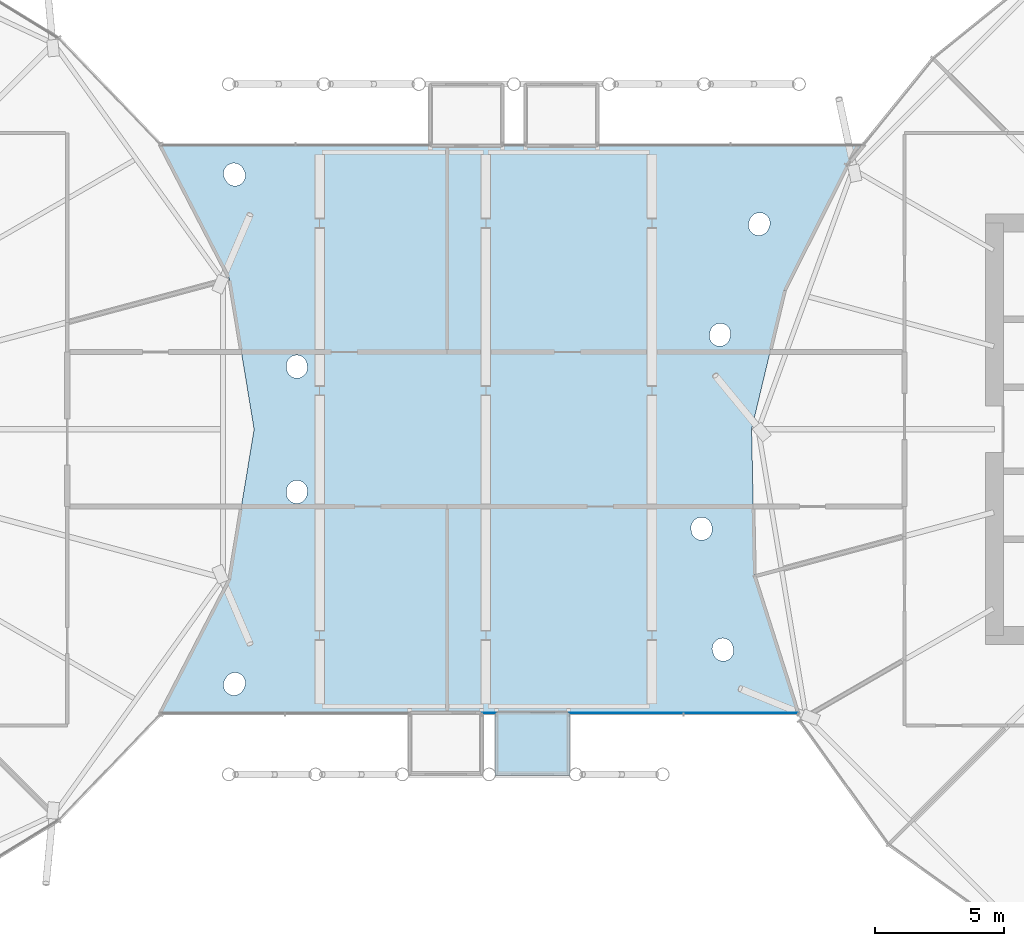
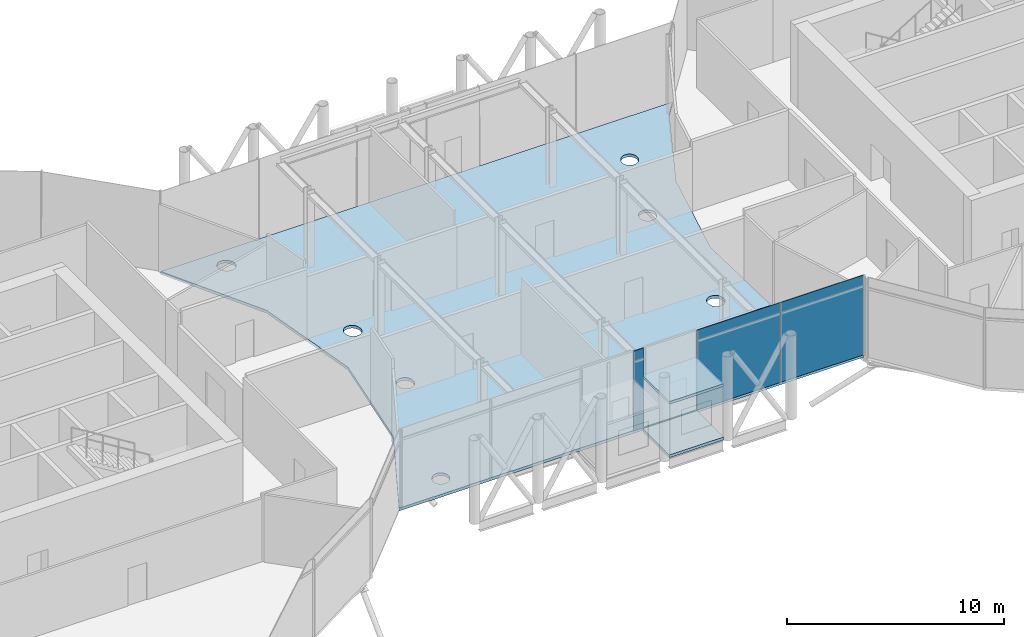
# One storey, part 19 of 36: 3 plates, 3 slabs, 1 element without a shape of its own.
"""IFC4 building model written with IfcOpenShell, lengths in metres."""

from ifc_helpers import new_model, si_unit, direction, frame, origin, origin_2d, place, context, subcontext, project, spatial, polyline, rectangle, outline, extrude, material, layer, layer_set, type_object, element, aggregate, save


model = new_model("IFC4")

# Units and contexts
model_context = context("Model", 3, precision=1e-05, world=origin(), true_north=direction((0.0, 1.0)))
body_context = subcontext(model_context, "Body", "Model", "MODEL_VIEW")
ifc_project = project(units=[si_unit("LENGTHUNIT", "METRE"), si_unit("AREAUNIT", "SQUARE_METRE"), si_unit("VOLUMEUNIT", "CUBIC_METRE"), si_unit("PLANEANGLEUNIT", "RADIAN"), si_unit("MASSUNIT", "GRAM", prefix="KILO")], contexts=[model_context])

# Site, building, storey
site_placement = place(None, origin())
site = spatial("IfcSite", under=ifc_project, at=site_placement, CompositionType="ELEMENT")
building_placement = place(site_placement, origin())
building = spatial("IfcBuilding", under=site, at=building_placement, Name="Rimbun Link Towers", CompositionType="ELEMENT")
storey_placement = place(building_placement, frame((0.0, 0.0, 154.39990234375)))
storey = spatial("IfcBuildingStorey", under=building, at=storey_placement, Name="L37", CompositionType="ELEMENT", Elevation=154.39990234375)

# Slabs
ifc_material_1 = material(Name="Insulated metal floor panel on steel frame", Category="steel")
ifc_layer_1 = layer(ifc_material_1, 0.159912109375)
ifc_layer_set_1 = layer_set([ifc_layer_1], Name="CAPSULE floor panel 160")
slab_type_1 = type_object("IfcSlabType", Name="CAPSULE floor panel 160", PredefinedType="FLOOR", material=ifc_layer_set_1)
slab_1_placement = place(storey_placement, frame((0.0, 0.0, -0.219970703125)))
element("IfcSlab", 1, at=slab_1_placement, inside=storey, type_object=slab_type_1, Name="CAPSULE F37.12 floor panel", PredefinedType="FLOOR", context=body_context, shape_type="SweptSolid", body=[
    extrude(outline(polyline([(3.26318359375, -11.0), (0.36328125, -11.0), (0.36328125, -13.449951171875), (3.26318359375, -13.449951171875), (3.26318359375, -11.0)])), origin(), (0.0, 0.0, 1.0), 0.16015625),
])
ifc_material_2 = material(Name="Insulated metal roof panel with terracotta fascia", Category="masonry")
ifc_layer_2 = layer(ifc_material_2, 0.14990234375)
ifc_layer_set_2 = layer_set([ifc_layer_2], Name="CAPSULE roof panel 150")
slab_type_2 = type_object("IfcSlabType", Name="CAPSULE roof panel 150", PredefinedType="ROOF", material=ifc_layer_set_2)
slab_2_placement = place(storey_placement, frame((0.0, 0.0, 2.7900390625)))
element("IfcSlab", 2, at=slab_2_placement, inside=storey, type_object=slab_type_2, Name="CAPSULE F37.12 roof panel", PredefinedType="ROOF", context=body_context, shape_type="SweptSolid", body=[
    extrude(outline(polyline([(0.36328125, -13.449951171875), (3.26318359375, -13.449951171875), (3.26318359375, -10.949951171875), (0.36328125, -10.949951171875), (0.36328125, -13.449951171875)])), origin(), (0.0, 0.0, 1.0), 0.150146484375),
])

# Curtain wall, plates
ifc_material_3 = material(Name="Aluminium 6063-T6 and low-iron glass", Category="aluminium")
curtain_wall_type = type_object("IfcCurtainWallType", Name="CW5 full height lobby wall", PredefinedType="NOTDEFINED", material=ifc_material_3)
curtain_wall_placement = place(storey_placement, origin())
curtain_wall = element("IfcCurtainWall", 3, at=curtain_wall_placement, inside=storey, type_object=curtain_wall_type, Name="CW5 L37 LB", PredefinedType="NOTDEFINED")
ifc_material_4 = material(Name="Low-iron glass, laminated low-e unit", Category="glass")
ifc_layer_3 = layer(ifc_material_4, 0.031982421875)
ifc_layer_set_3 = layer_set([ifc_layer_3], Name="CW5 panel Low-iron glass 32")
plate_type = type_object("IfcPlateType", Name="CW5 panel Low-iron glass 32", PredefinedType="CURTAIN_PANEL", material=ifc_layer_set_3)
plate_1_placement = place(storey_placement, frame((9.894287109375, -11.01611328125, 0.0), z_axis=(0.0, 0.0, 1.0), x_axis=(-1.0, 0.0, 0.0)))
plate_1 = element("IfcPlate", 4, at=plate_1_placement, type_object=plate_type, Name="CW5 panel", PredefinedType="CURTAIN_PANEL", context=body_context, shape_type="SweptSolid", body=[
    extrude(rectangle(XDim=4.4140625, YDim=0.031982421875, at=origin_2d()), origin(), (0.0, 0.0, 1.0), 4.5),
])
plate_2_placement = place(storey_placement, frame((5.4404296875, -11.01611328125, 0.0), z_axis=(0.0, 0.0, 1.0), x_axis=(-1.0, 0.0, 0.0)))
plate_2 = element("IfcPlate", 5, at=plate_2_placement, type_object=plate_type, Name="CW5 panel", PredefinedType="CURTAIN_PANEL", context=body_context, shape_type="SweptSolid", body=[
    extrude(rectangle(XDim=4.4140625, YDim=0.031982421875, at=origin_2d()), origin(), (0.0, 0.0, 1.0), 4.5),
])
plate_3_placement = place(storey_placement, frame((0.12890625, -11.01611328125, 0.0), z_axis=(0.0, 0.0, 1.0), x_axis=(-1.0, 0.0, 0.0)))
plate_3 = element("IfcPlate", 6, at=plate_3_placement, type_object=plate_type, Name="CW5 panel", PredefinedType="CURTAIN_PANEL", context=body_context, shape_type="SweptSolid", body=[
    extrude(rectangle(XDim=0.529052734375, YDim=0.031982421875, at=origin_2d()), origin(), (0.0, 0.0, 1.0), 4.5),
])
aggregate(curtain_wall, [plate_1, plate_2, plate_3])

# Slab
ifc_material_5 = material(Name="Concrete C40/50", Category="concrete")
ifc_layer_4 = layer(ifc_material_5, 0.159912109375)
ifc_layer_set_4 = layer_set([ifc_layer_4], Name="Link composite floor slab")
slab_type_3 = type_object("IfcSlabType", Name="Link composite floor slab", PredefinedType="FLOOR", material=ifc_layer_set_4)
slab_3_placement = place(storey_placement, frame((0.0, 0.0, -0.159912109375)))
element("IfcSlab", 7, at=slab_3_placement, inside=storey, type_object=slab_type_3, Name="Link floor slab L37", PredefinedType="FLOOR", context=body_context, shape_type="SweptSolid", body=[
    extrude(outline(polyline([(-9.956787109375, -5.839599609375), (-8.99658203125, 0.0), (-9.956787109375, 5.839599609375), (-12.626953125, 11.0), (14.66064453125, 11.0), (14.035400390625, 10.2275390625), (11.609375, 5.396728515625), (10.31884765625, 0.0), (10.439208984375, -5.710205078125), (12.121337890625, -11.0), (-12.626953125, -11.0), (-9.956787109375, -5.839599609375)]), holes=[polyline([(-9.563720703125, -10.269287109375), (-9.531005859375, -10.24658203125), (-9.5009765625, -10.220703125), (-9.473388671875, -10.192138671875), (-9.448974609375, -10.160888671875), (-9.427490234375, -10.127197265625), (-9.385498046875, -10.053466796875), (-9.36767578125, -10.01806640625), (-9.353271484375, -9.98095703125), (-9.342529296875, -9.942626953125), (-9.335693359375, -9.903564453125), (-9.332763671875, -9.864013671875), (-9.33349609375, -9.82421875), (-9.33837890625, -9.784912109375), (-9.346923828125, -9.74609375), (-9.359375, -9.708251953125), (-9.37548828125, -9.672119140625), (-9.39501953125, -9.637451171875), (-9.417724609375, -9.604736328125), (-9.443603515625, -9.57470703125), (-9.472412109375, -9.547119140625), (-9.50341796875, -9.522705078125), (-9.537109375, -9.50146484375), (-9.572509765625, -9.4833984375), (-9.609619140625, -9.468994140625), (-9.647705078125, -9.45849609375), (-9.68701171875, -9.451416015625), (-9.7265625, -9.448486328125), (-9.76611328125, -9.449462890625), (-9.8056640625, -9.4541015625), (-9.844482421875, -9.462890625), (-9.882080078125, -9.47509765625), (-9.918701171875, -9.4912109375), (-9.953125, -9.5107421875), (-9.985595703125, -9.533447265625), (-10.015869140625, -9.559326171875), (-10.043212890625, -9.588134765625), (-10.06787109375, -9.619384765625), (-10.089111328125, -9.65283203125), (-10.131103515625, -9.726806640625), (-10.149169921875, -9.76220703125), (-10.16357421875, -9.799072265625), (-10.174072265625, -9.83740234375), (-10.180908203125, -9.87646484375), (-10.18408203125, -9.916015625), (-10.18310546875, -9.955810546875), (-10.178466796875, -9.995361328125), (-10.169677734375, -10.0341796875), (-10.157470703125, -10.07177734375), (-10.141357421875, -10.108154296875), (-10.121826171875, -10.142822265625), (-10.09912109375, -10.17529296875), (-10.0732421875, -10.205322265625), (-10.04443359375, -10.23291015625), (-10.01318359375, -10.25732421875), (-9.979736328125, -10.27880859375), (-9.944091796875, -10.296630859375), (-9.9072265625, -10.31103515625), (-9.868896484375, -10.32177734375), (-9.829833984375, -10.32861328125), (-9.790283203125, -10.33154296875), (-9.75048828125, -10.330810546875), (-9.711181640625, -10.325927734375), (-9.67236328125, -10.3173828125), (-9.634521484375, -10.304931640625), (-9.59814453125, -10.2890625), (-9.563720703125, -10.269287109375)]), polyline([(8.750244140625, -4.064208984375), (8.764404296875, -4.027099609375), (8.774658203125, -3.98876953125), (8.78125, -3.94970703125), (8.783935546875, -3.909912109375), (8.78271484375, -3.8701171875), (8.7763671875, -3.7880859375), (8.771240234375, -3.748779296875), (8.76220703125, -3.7099609375), (8.74951171875, -3.67236328125), (8.7333984375, -3.635986328125), (8.71337890625, -3.6015625), (8.6904296875, -3.5693359375), (8.664306640625, -3.539306640625), (8.635498046875, -3.51220703125), (8.60400390625, -3.48779296875), (8.5703125, -3.466796875), (8.53466796875, -3.44921875), (8.49755859375, -3.43505859375), (8.458984375, -3.4248046875), (8.419921875, -3.418212890625), (8.38037109375, -3.415283203125), (8.340576171875, -3.41650390625), (8.30126953125, -3.421630859375), (8.262451171875, -3.4306640625), (8.224853515625, -3.443359375), (8.188720703125, -3.459716796875), (8.154296875, -3.4794921875), (8.121826171875, -3.50244140625), (8.091796875, -3.528564453125), (8.064697265625, -3.5576171875), (8.040283203125, -3.589111328125), (8.019287109375, -3.622802734375), (8.001708984375, -3.658203125), (7.987548828125, -3.6953125), (7.977294921875, -3.733642578125), (7.970703125, -3.77294921875), (7.968017578125, -3.8125), (7.96923828125, -3.852294921875), (7.9755859375, -3.934326171875), (7.980712890625, -3.973876953125), (7.98974609375, -4.012451171875), (8.00244140625, -4.05029296875), (8.018798828125, -4.08642578125), (8.03857421875, -4.120849609375), (8.0615234375, -4.1533203125), (8.087646484375, -4.18310546875), (8.11669921875, -4.21044921875), (8.148193359375, -4.234619140625), (8.181884765625, -4.255615234375), (8.21728515625, -4.273193359375), (8.25439453125, -4.287353515625), (8.29296875, -4.2978515625), (8.33203125, -4.304443359375), (8.37158203125, -4.306884765625), (8.411376953125, -4.305908203125), (8.45068359375, -4.30078125), (8.489501953125, -4.291748046875), (8.527099609375, -4.279052734375), (8.5634765625, -4.2626953125), (8.597900390625, -4.2431640625), (8.630126953125, -4.219970703125), (8.66015625, -4.19384765625), (8.687255859375, -4.1650390625), (8.711669921875, -4.133544921875), (8.732666015625, -4.099853515625), (8.750244140625, -4.064208984375)]), polyline([(-7.68603515625, -2.192626953125), (-7.703369140625, -2.228515625), (-7.71728515625, -2.265625), (-7.7275390625, -2.303955078125), (-7.73388671875, -2.34326171875), (-7.743408203125, -2.427978515625), (-7.745849609375, -2.4677734375), (-7.744384765625, -2.507568359375), (-7.739013671875, -2.546875), (-7.72998046875, -2.58544921875), (-7.717041015625, -2.623046875), (-7.70068359375, -2.6591796875), (-7.6806640625, -2.693603515625), (-7.657470703125, -2.725830078125), (-7.631103515625, -2.755615234375), (-7.60205078125, -2.78271484375), (-7.5703125, -2.806640625), (-7.53662109375, -2.82763671875), (-7.5009765625, -2.84521484375), (-7.463623046875, -2.85888671875), (-7.42529296875, -2.869140625), (-7.385986328125, -2.87548828125), (-7.346435546875, -2.8779296875), (-7.306884765625, -2.87646484375), (-7.267333984375, -2.87109375), (-7.228759765625, -2.862060546875), (-7.191162109375, -2.84912109375), (-7.155029296875, -2.832763671875), (-7.12060546875, -2.812744140625), (-7.08837890625, -2.78955078125), (-7.05859375, -2.76318359375), (-7.031494140625, -2.734130859375), (-7.007568359375, -2.70263671875), (-6.986572265625, -2.668701171875), (-6.96923828125, -2.633056640625), (-6.955322265625, -2.595947265625), (-6.945068359375, -2.5576171875), (-6.938720703125, -2.518310546875), (-6.92919921875, -2.433349609375), (-6.9267578125, -2.393798828125), (-6.92822265625, -2.35400390625), (-6.93359375, -2.314697265625), (-6.942626953125, -2.27587890625), (-6.95556640625, -2.23828125), (-6.971923828125, -2.2021484375), (-6.991943359375, -2.16796875), (-7.01513671875, -2.1357421875), (-7.04150390625, -2.10595703125), (-7.070556640625, -2.078857421875), (-7.102294921875, -2.0546875), (-7.135986328125, -2.033935546875), (-7.171630859375, -2.016357421875), (-7.208984375, -2.00244140625), (-7.247314453125, -1.9921875), (-7.28662109375, -1.986083984375), (-7.326171875, -1.9833984375), (-7.36572265625, -1.98486328125), (-7.4052734375, -1.990234375), (-7.44384765625, -1.99951171875), (-7.4814453125, -2.01220703125), (-7.517578125, -2.02880859375), (-7.552001953125, -2.048583984375), (-7.583984375, -2.072021484375), (-7.614013671875, -2.09814453125), (-7.64111328125, -2.127197265625), (-7.6650390625, -2.158935546875), (-7.68603515625, -2.192626953125)]), polyline([(-6.942626953125, 2.27587890625), (-6.93359375, 2.314697265625), (-6.92822265625, 2.35400390625), (-6.9267578125, 2.393798828125), (-6.92919921875, 2.433349609375), (-6.938720703125, 2.518310546875), (-6.945068359375, 2.5576171875), (-6.955322265625, 2.595947265625), (-6.96923828125, 2.633056640625), (-6.986572265625, 2.668701171875), (-7.007568359375, 2.70263671875), (-7.031494140625, 2.734130859375), (-7.05859375, 2.76318359375), (-7.08837890625, 2.78955078125), (-7.12060546875, 2.812744140625), (-7.155029296875, 2.832763671875), (-7.191162109375, 2.84912109375), (-7.228759765625, 2.862060546875), (-7.267333984375, 2.87109375), (-7.306884765625, 2.87646484375), (-7.346435546875, 2.8779296875), (-7.385986328125, 2.87548828125), (-7.42529296875, 2.869140625), (-7.463623046875, 2.85888671875), (-7.5009765625, 2.84521484375), (-7.53662109375, 2.82763671875), (-7.5703125, 2.806640625), (-7.60205078125, 2.78271484375), (-7.631103515625, 2.755615234375), (-7.657470703125, 2.725830078125), (-7.6806640625, 2.693603515625), (-7.70068359375, 2.6591796875), (-7.717041015625, 2.623046875), (-7.72998046875, 2.58544921875), (-7.739013671875, 2.546875), (-7.744384765625, 2.507568359375), (-7.745849609375, 2.4677734375), (-7.743408203125, 2.427978515625), (-7.73388671875, 2.34326171875), (-7.7275390625, 2.303955078125), (-7.71728515625, 2.265625), (-7.703369140625, 2.228515625), (-7.68603515625, 2.192626953125), (-7.6650390625, 2.158935546875), (-7.64111328125, 2.127197265625), (-7.614013671875, 2.09814453125), (-7.583984375, 2.072021484375), (-7.552001953125, 2.048583984375), (-7.517578125, 2.02880859375), (-7.4814453125, 2.01220703125), (-7.44384765625, 1.99951171875), (-7.4052734375, 1.990234375), (-7.36572265625, 1.98486328125), (-7.326171875, 1.9833984375), (-7.28662109375, 1.986083984375), (-7.247314453125, 1.9921875), (-7.208984375, 2.00244140625), (-7.171630859375, 2.016357421875), (-7.135986328125, 2.033935546875), (-7.102294921875, 2.0546875), (-7.070556640625, 2.078857421875), (-7.04150390625, 2.10595703125), (-7.01513671875, 2.1357421875), (-6.991943359375, 2.16796875), (-6.971923828125, 2.2021484375), (-6.95556640625, 2.23828125), (-6.942626953125, 2.27587890625)]), polyline([(-10.180908203125, 9.87646484375), (-10.174072265625, 9.83740234375), (-10.16357421875, 9.799072265625), (-10.149169921875, 9.76220703125), (-10.131103515625, 9.726806640625), (-10.089111328125, 9.65283203125), (-10.06787109375, 9.619384765625), (-10.043212890625, 9.588134765625), (-10.015869140625, 9.559326171875), (-9.985595703125, 9.533447265625), (-9.953125, 9.5107421875), (-9.918701171875, 9.4912109375), (-9.882080078125, 9.47509765625), (-9.844482421875, 9.462890625), (-9.8056640625, 9.4541015625), (-9.76611328125, 9.449462890625), (-9.7265625, 9.448486328125), (-9.68701171875, 9.451416015625), (-9.647705078125, 9.45849609375), (-9.609619140625, 9.468994140625), (-9.572509765625, 9.4833984375), (-9.537109375, 9.50146484375), (-9.50341796875, 9.522705078125), (-9.472412109375, 9.547119140625), (-9.443603515625, 9.57470703125), (-9.417724609375, 9.604736328125), (-9.39501953125, 9.637451171875), (-9.37548828125, 9.672119140625), (-9.359375, 9.708251953125), (-9.346923828125, 9.74609375), (-9.33837890625, 9.784912109375), (-9.33349609375, 9.82421875), (-9.332763671875, 9.864013671875), (-9.335693359375, 9.903564453125), (-9.342529296875, 9.942626953125), (-9.353271484375, 9.98095703125), (-9.36767578125, 10.01806640625), (-9.385498046875, 10.053466796875), (-9.427490234375, 10.127197265625), (-9.448974609375, 10.160888671875), (-9.473388671875, 10.192138671875), (-9.5009765625, 10.220703125), (-9.531005859375, 10.24658203125), (-9.563720703125, 10.269287109375), (-9.59814453125, 10.2890625), (-9.634521484375, 10.304931640625), (-9.67236328125, 10.3173828125), (-9.711181640625, 10.325927734375), (-9.75048828125, 10.330810546875), (-9.790283203125, 10.33154296875), (-9.829833984375, 10.32861328125), (-9.868896484375, 10.32177734375), (-9.9072265625, 10.31103515625), (-9.944091796875, 10.296630859375), (-9.979736328125, 10.27880859375), (-10.01318359375, 10.25732421875), (-10.04443359375, 10.23291015625), (-10.0732421875, 10.205322265625), (-10.09912109375, 10.17529296875), (-10.121826171875, 10.142822265625), (-10.141357421875, 10.108154296875), (-10.157470703125, 10.07177734375), (-10.169677734375, 10.0341796875), (-10.178466796875, 9.995361328125), (-10.18310546875, 9.955810546875), (-10.18408203125, 9.916015625), (-10.180908203125, 9.87646484375)]), polyline([(8.80029296875, -8.426513671875), (8.79345703125, -8.4658203125), (8.790283203125, -8.50537109375), (8.791259765625, -8.544921875), (8.7958984375, -8.58447265625), (8.8046875, -8.623291015625), (8.8271484375, -8.705078125), (8.839599609375, -8.742919921875), (8.85546875, -8.779296875), (8.875, -8.813720703125), (8.897705078125, -8.84619140625), (8.923583984375, -8.87646484375), (8.952392578125, -8.90380859375), (8.983642578125, -8.928466796875), (9.01708984375, -8.94970703125), (9.052490234375, -8.9677734375), (9.089599609375, -8.982177734375), (9.1279296875, -8.992919921875), (9.1669921875, -8.999755859375), (9.20654296875, -9.002685546875), (9.246337890625, -9.001708984375), (9.285888671875, -8.9970703125), (9.32470703125, -8.98828125), (9.3623046875, -8.97607421875), (9.398681640625, -8.9599609375), (9.433349609375, -8.9404296875), (9.4658203125, -8.917724609375), (9.495849609375, -8.891845703125), (9.5234375, -8.863037109375), (9.5478515625, -8.831787109375), (9.569091796875, -8.79833984375), (9.587158203125, -8.762939453125), (9.6015625, -8.725830078125), (9.6123046875, -8.6875), (9.619140625, -8.6484375), (9.6220703125, -8.60888671875), (9.62109375, -8.569091796875), (9.616455078125, -8.52978515625), (9.60791015625, -8.490966796875), (9.58544921875, -8.408935546875), (9.572998046875, -8.371337890625), (9.556884765625, -8.3349609375), (9.53759765625, -8.30029296875), (9.5146484375, -8.267822265625), (9.48876953125, -8.237548828125), (9.460205078125, -8.210205078125), (9.4287109375, -8.185791015625), (9.395263671875, -8.164306640625), (9.35986328125, -8.146484375), (9.32275390625, -8.132080078125), (9.28466796875, -8.121337890625), (9.245361328125, -8.114501953125), (9.205810546875, -8.111572265625), (9.166015625, -8.1123046875), (9.126708984375, -8.1171875), (9.087890625, -8.125732421875), (9.050048828125, -8.13818359375), (9.013916015625, -8.154052734375), (8.979248046875, -8.173583984375), (8.94677734375, -8.1962890625), (8.91650390625, -8.222412109375), (8.88916015625, -8.2509765625), (8.864501953125, -8.2822265625), (8.84326171875, -8.31591796875), (8.8251953125, -8.351318359375), (8.810791015625, -8.38818359375), (8.80029296875, -8.426513671875)]), polyline([(8.785400390625, 3.9580078125), (8.7626953125, 3.925537109375), (8.742919921875, 3.890869140625), (8.726806640625, 3.854736328125), (8.714111328125, 3.81689453125), (8.6923828125, 3.739013671875), (8.68359375, 3.7001953125), (8.6787109375, 3.66064453125), (8.677490234375, 3.62109375), (8.680419921875, 3.581298828125), (8.68701171875, 3.542236328125), (8.697509765625, 3.50390625), (8.7119140625, 3.466796875), (8.7294921875, 3.431396484375), (8.750732421875, 3.397705078125), (8.775146484375, 3.3662109375), (8.802490234375, 3.33740234375), (8.83251953125, 3.3115234375), (8.864990234375, 3.28857421875), (8.8994140625, 3.268798828125), (8.935791015625, 3.252685546875), (8.973388671875, 3.240234375), (9.01220703125, 3.2314453125), (9.051513671875, 3.226318359375), (9.09130859375, 3.225341796875), (9.130859375, 3.228271484375), (9.170166015625, 3.23486328125), (9.20849609375, 3.245361328125), (9.24560546875, 3.259521484375), (9.281005859375, 3.27734375), (9.314697265625, 3.298583984375), (9.345947265625, 3.322998046875), (9.374755859375, 3.35009765625), (9.40087890625, 3.38037109375), (9.423828125, 3.41259765625), (9.443603515625, 3.447265625), (9.459716796875, 3.4833984375), (9.47216796875, 3.521240234375), (9.493896484375, 3.599365234375), (9.502685546875, 3.637939453125), (9.5078125, 3.677490234375), (9.5087890625, 3.717041015625), (9.506103515625, 3.756591796875), (9.499267578125, 3.7958984375), (9.48876953125, 3.834228515625), (9.474609375, 3.871337890625), (9.456787109375, 3.90673828125), (9.435546875, 3.9404296875), (9.4111328125, 3.9716796875), (9.3837890625, 4.00048828125), (9.35400390625, 4.026611328125), (9.3212890625, 4.049560546875), (9.286865234375, 4.0693359375), (9.25048828125, 4.08544921875), (9.212890625, 4.097900390625), (9.17431640625, 4.106689453125), (9.134765625, 4.11181640625), (9.09521484375, 4.11279296875), (9.055419921875, 4.110107421875), (9.016357421875, 4.103271484375), (8.97802734375, 4.0927734375), (8.94091796875, 4.07861328125), (8.905517578125, 4.060791015625), (8.871826171875, 4.03955078125), (8.84033203125, 4.01513671875), (8.8115234375, 3.98779296875), (8.785400390625, 3.9580078125)]), polyline([(10.879638671875, 7.638916015625), (10.90673828125, 7.66796875), (10.930908203125, 7.69921875), (10.951904296875, 7.733154296875), (10.969482421875, 7.768798828125), (11.0009765625, 7.8408203125), (11.014892578125, 7.8779296875), (11.025390625, 7.916259765625), (11.031982421875, 7.955322265625), (11.034423828125, 7.9951171875), (11.033203125, 8.034912109375), (11.028076171875, 8.07421875), (11.01904296875, 8.11279296875), (11.00634765625, 8.150390625), (10.989990234375, 8.186767578125), (10.97021484375, 8.22119140625), (10.947021484375, 8.25341796875), (10.9208984375, 8.283203125), (10.89208984375, 8.310546875), (10.860595703125, 8.334716796875), (10.826904296875, 8.355712890625), (10.791259765625, 8.373291015625), (10.754150390625, 8.387451171875), (10.7158203125, 8.397705078125), (10.676513671875, 8.404296875), (10.636962890625, 8.406982421875), (10.59716796875, 8.405517578125), (10.557861328125, 8.400390625), (10.51904296875, 8.3916015625), (10.4814453125, 8.37890625), (10.4453125, 8.362548828125), (10.410888671875, 8.342529296875), (10.37841796875, 8.319580078125), (10.3486328125, 8.29345703125), (10.3212890625, 8.264404296875), (10.297119140625, 8.23291015625), (10.276123046875, 8.19921875), (10.258544921875, 8.16357421875), (10.227294921875, 8.091552734375), (10.213134765625, 8.054443359375), (10.202880859375, 8.01611328125), (10.1962890625, 7.976806640625), (10.193603515625, 7.937255859375), (10.19482421875, 7.8974609375), (10.2001953125, 7.858154296875), (10.208984375, 7.8193359375), (10.2216796875, 7.78173828125), (10.238037109375, 7.74560546875), (10.258056640625, 7.711181640625), (10.281005859375, 7.6787109375), (10.30712890625, 7.64892578125), (10.336181640625, 7.621826171875), (10.36767578125, 7.597412109375), (10.4013671875, 7.576416015625), (10.43701171875, 7.558837890625), (10.47412109375, 7.544921875), (10.512451171875, 7.534423828125), (10.5517578125, 7.528076171875), (10.59130859375, 7.525390625), (10.631103515625, 7.526611328125), (10.67041015625, 7.53173828125), (10.708984375, 7.540771484375), (10.746826171875, 7.553466796875), (10.782958984375, 7.56982421875), (10.8173828125, 7.589599609375), (10.849609375, 7.61279296875), (10.879638671875, 7.638916015625)])]), origin(), (0.0, 0.0, 1.0), 0.159912109375),
])

save(model, "model.ifc")
